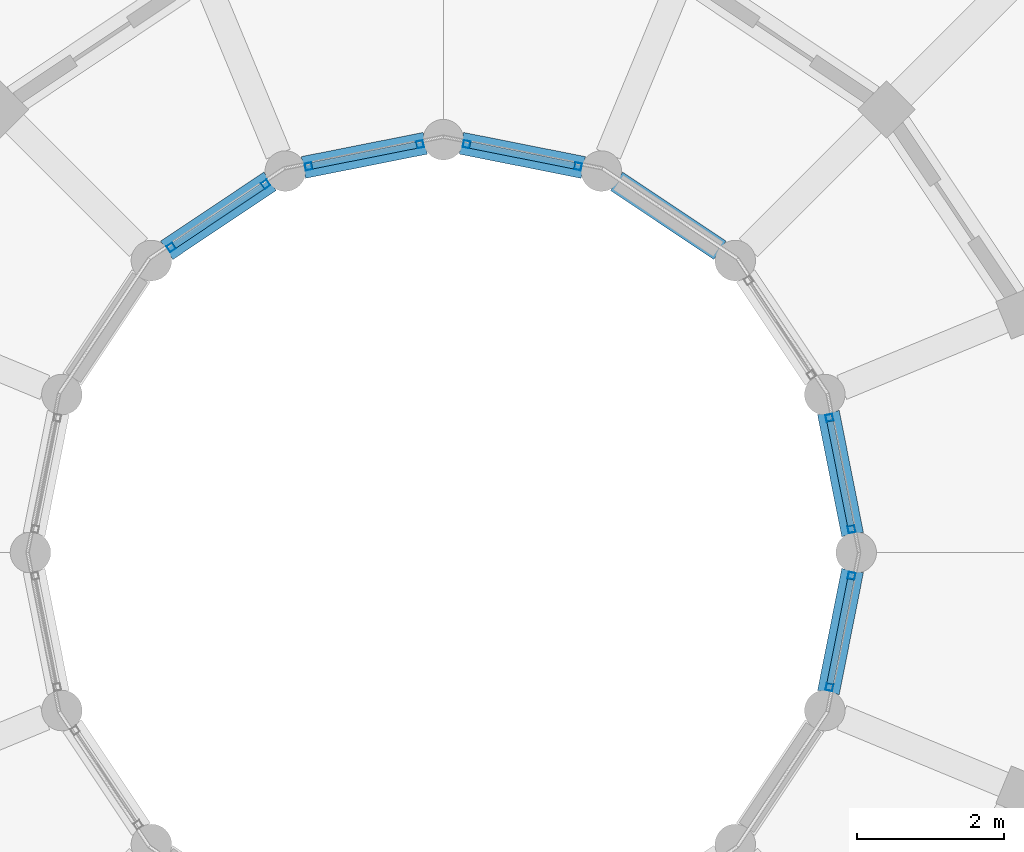
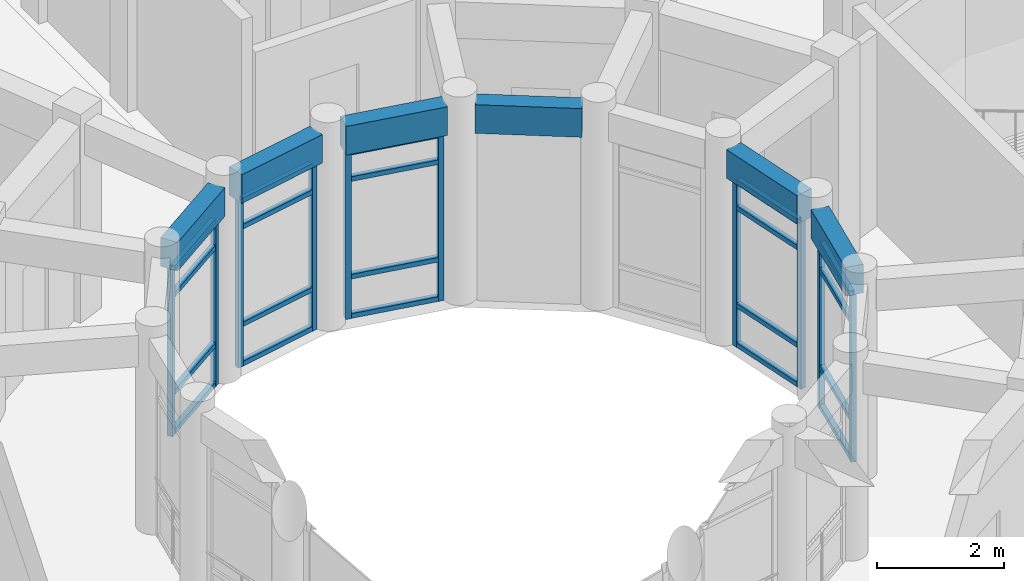
# One storey, part 14 of 112: 30 members, 6 beams, 5 elements without a shape of their own.
"""IFC4 building model written with IfcOpenShell, lengths in metres."""

from ifc_helpers import new_model, si_unit, direction, frame, origin, origin_2d, place, context, subcontext, project, spatial, rectangle, hollow_rectangle, extrude, material, material_profile, profile_set, type_object, element, aggregate, save


model = new_model("IFC4")

# Units and contexts
model_context = context("Model", 3, precision=1e-05, world=origin(), true_north=direction((0.0, 1.0)))
body_context = subcontext(model_context, "Body", "Model", "MODEL_VIEW")
ifc_project = project(units=[si_unit("LENGTHUNIT", "METRE"), si_unit("AREAUNIT", "SQUARE_METRE"), si_unit("VOLUMEUNIT", "CUBIC_METRE"), si_unit("PLANEANGLEUNIT", "RADIAN"), si_unit("MASSUNIT", "GRAM", prefix="KILO")], contexts=[model_context])

# Site, building, storey
site_placement = place(None, origin())
site = spatial("IfcSite", under=ifc_project, at=site_placement, CompositionType="ELEMENT")
building_placement = place(site_placement, origin())
building = spatial("IfcBuilding", under=site, at=building_placement, Name="Celadon Cloister-Ring School", CompositionType="ELEMENT")
storey_placement = place(building_placement, frame((0.0, 0.0, 8.5)))
storey = spatial("IfcBuildingStorey", under=building, at=storey_placement, Name="L02", CompositionType="ELEMENT", Elevation=8.5)

# Curtain wall, members
ifc_material_1 = material(Name="Aluminium EN AW-6063 T6", Category="aluminium")
curtain_wall_type = type_object("IfcCurtainWallType", Name="CW-04", PredefinedType="USERDEFINED", material=ifc_material_1)
curtain_wall_1_placement = place(storey_placement, origin())
curtain_wall_1 = element("IfcCurtainWall", 1, at=curtain_wall_1_placement, inside=storey, type_object=curtain_wall_type, Name="Curtain Wall 0151", ObjectType="CURTAIN WALL", PredefinedType="USERDEFINED")
ifc_material_2 = material(Name="Aluminium EN AW-6063 T6", Category="aluminium")
ifc_material_profile_1 = material_profile(ifc_material_2, hollow_rectangle(XDim=0.094970703125, YDim=0.094970703125, WallThickness=0.00390625, at=origin_2d()), Name="RHS95X95X4")
ifc_profile_set_1 = profile_set([ifc_material_profile_1], Name="Aluminium EN AW-6063 T6")
member_type_1 = type_object("IfcMemberType", Name="CM-02", PredefinedType="MULLION", material=ifc_profile_set_1)
member_1_placement = place(storey_placement, frame((25.73681640625, 20.316650390625, 0.0), z_axis=(0.0, 0.0, 1.0), x_axis=(-0.980885435464, -0.194586131301, 0.0)))
member_1 = element("IfcMember", 2, at=member_1_placement, type_object=member_type_1, Name="CW-04 mullion 1", PredefinedType="MULLION", context=body_context, shape_type="SweptSolid", body=[
    extrude(hollow_rectangle(XDim=0.094970703125, YDim=0.094970703125, WallThickness=0.00390625, at=origin_2d()), origin(), (0.0, 0.0, 1.0), 3.221923828125),
])
member_2_placement = place(storey_placement, frame((25.437255859375, 21.826416015625, 0.0), z_axis=(0.0, 0.0, 1.0), x_axis=(-0.980885435464, -0.194586131301, 0.0)))
member_2 = element("IfcMember", 3, at=member_2_placement, type_object=member_type_1, Name="CW-04 mullion 2", PredefinedType="MULLION", context=body_context, shape_type="SweptSolid", body=[
    extrude(hollow_rectangle(XDim=0.094970703125, YDim=0.094970703125, WallThickness=0.00390625, at=origin_2d()), origin(), (0.0, 0.0, 1.0), 3.221923828125),
])

curtain_wall_2_placement = place(storey_placement, origin())
curtain_wall_2 = element("IfcCurtainWall", 4, at=curtain_wall_2_placement, inside=storey, type_object=curtain_wall_type, Name="Curtain Wall 0153", ObjectType="CURTAIN WALL", PredefinedType="USERDEFINED")
member_3_placement = place(storey_placement, frame((22.0263671875, 25.2373046875, 0.0), z_axis=(0.0, 0.0, 1.0), x_axis=(-0.194586131301, -0.980885435464, 0.0)))
member_3 = element("IfcMember", 5, at=member_3_placement, type_object=member_type_1, Name="CW-04 mullion 1", PredefinedType="MULLION", context=body_context, shape_type="SweptSolid", body=[
    extrude(hollow_rectangle(XDim=0.094970703125, YDim=0.094970703125, WallThickness=0.00390625, at=origin_2d()), origin(), (0.0, 0.0, 1.0), 3.221923828125),
])
member_4_placement = place(storey_placement, frame((20.5166015625, 25.536865234375, 0.0), z_axis=(0.0, 0.0, 1.0), x_axis=(-0.194586131301, -0.980885435464, 0.0)))
member_4 = element("IfcMember", 6, at=member_4_placement, type_object=member_type_1, Name="CW-04 mullion 2", PredefinedType="MULLION", context=body_context, shape_type="SweptSolid", body=[
    extrude(hollow_rectangle(XDim=0.094970703125, YDim=0.094970703125, WallThickness=0.00390625, at=origin_2d()), origin(), (0.0, 0.0, 1.0), 3.221923828125),
])

curtain_wall_3_placement = place(storey_placement, origin())
curtain_wall_3 = element("IfcCurtainWall", 7, at=curtain_wall_3_placement, inside=storey, type_object=curtain_wall_type, Name="Curtain Wall 0154", ObjectType="CURTAIN WALL", PredefinedType="USERDEFINED")
member_5_placement = place(storey_placement, frame((19.88330078125, 25.536865234375, 0.0), z_axis=(0.0, 0.0, 1.0), x_axis=(0.194586131301, -0.980885435464, 0.0)))
member_5 = element("IfcMember", 8, at=member_5_placement, type_object=member_type_1, Name="CW-04 mullion 1", PredefinedType="MULLION", context=body_context, shape_type="SweptSolid", body=[
    extrude(hollow_rectangle(XDim=0.094970703125, YDim=0.094970703125, WallThickness=0.00390625, at=origin_2d()), origin(), (0.0, 0.0, 1.0), 3.221923828125),
])
member_6_placement = place(storey_placement, frame((18.37353515625, 25.2373046875, 0.0), z_axis=(0.0, 0.0, 1.0), x_axis=(0.194586131301, -0.980885435464, 0.0)))
member_6 = element("IfcMember", 9, at=member_6_placement, type_object=member_type_1, Name="CW-04 mullion 2", PredefinedType="MULLION", context=body_context, shape_type="SweptSolid", body=[
    extrude(hollow_rectangle(XDim=0.094970703125, YDim=0.094970703125, WallThickness=0.00390625, at=origin_2d()), origin(), (0.0, 0.0, 1.0), 3.221923828125),
])

curtain_wall_4_placement = place(storey_placement, origin())
curtain_wall_4 = element("IfcCurtainWall", 10, at=curtain_wall_4_placement, inside=storey, type_object=curtain_wall_type, Name="Curtain Wall 0155", ObjectType="CURTAIN WALL", PredefinedType="USERDEFINED")
member_7_placement = place(storey_placement, frame((17.78857421875, 24.99462890625, 0.0), z_axis=(0.0, 0.0, 1.0), x_axis=(0.555547066224, -0.831485091394, 0.0)))
member_7 = element("IfcMember", 11, at=member_7_placement, type_object=member_type_1, Name="CW-04 mullion 1", PredefinedType="MULLION", context=body_context, shape_type="SweptSolid", body=[
    extrude(hollow_rectangle(XDim=0.094970703125, YDim=0.094970703125, WallThickness=0.00390625, at=origin_2d()), origin(), (0.0, 0.0, 1.0), 3.221923828125),
])
member_8_placement = place(storey_placement, frame((16.508544921875, 24.139404296875, 0.0), z_axis=(0.0, 0.0, 1.0), x_axis=(0.555547066224, -0.831485091394, 0.0)))
member_8 = element("IfcMember", 12, at=member_8_placement, type_object=member_type_1, Name="CW-04 mullion 2", PredefinedType="MULLION", context=body_context, shape_type="SweptSolid", body=[
    extrude(hollow_rectangle(XDim=0.094970703125, YDim=0.094970703125, WallThickness=0.00390625, at=origin_2d()), origin(), (0.0, 0.0, 1.0), 3.221923828125),
])

curtain_wall_5_placement = place(storey_placement, origin())
curtain_wall_5 = element("IfcCurtainWall", 13, at=curtain_wall_5_placement, inside=storey, type_object=curtain_wall_type, Name="Curtain Wall 0162", ObjectType="CURTAIN WALL", PredefinedType="USERDEFINED")
member_9_placement = place(storey_placement, frame((25.437255859375, 18.173583984375, 0.0), z_axis=(0.0, 0.0, 1.0), x_axis=(-0.980885435464, 0.194586131301, 0.0)))
member_9 = element("IfcMember", 14, at=member_9_placement, type_object=member_type_1, Name="CW-04 mullion 1", PredefinedType="MULLION", context=body_context, shape_type="SweptSolid", body=[
    extrude(hollow_rectangle(XDim=0.094970703125, YDim=0.094970703125, WallThickness=0.00390625, at=origin_2d()), origin(), (0.0, 0.0, 1.0), 3.221923828125),
])
member_10_placement = place(storey_placement, frame((25.73681640625, 19.683349609375, 0.0), z_axis=(0.0, 0.0, 1.0), x_axis=(-0.980885435464, 0.194586131301, 0.0)))
member_10 = element("IfcMember", 15, at=member_10_placement, type_object=member_type_1, Name="CW-04 mullion 2", PredefinedType="MULLION", context=body_context, shape_type="SweptSolid", body=[
    extrude(hollow_rectangle(XDim=0.094970703125, YDim=0.094970703125, WallThickness=0.00390625, at=origin_2d()), origin(), (0.0, 0.0, 1.0), 3.221923828125),
])

# Member
ifc_material_3 = material(Name="Aluminium EN AW-6063 T6", Category="aluminium")
ifc_material_profile_2 = material_profile(ifc_material_3, hollow_rectangle(XDim=0.090087890625, YDim=0.090087890625, WallThickness=0.00390625, at=origin_2d()), Name="RHS90X90X4")
ifc_profile_set_2 = profile_set([ifc_material_profile_2], Name="Aluminium EN AW-6063 T6")
member_type_2 = type_object("IfcMemberType", Name="CTM-02", PredefinedType="USERDEFINED", material=ifc_profile_set_2)
member_11_placement = place(storey_placement, frame((25.7275390625, 20.36328125, 0.044921875), z_axis=(-0.194587856315, 0.980885093257, 0.0), x_axis=(-0.980885093257, -0.194587856315, 0.0)))
member_11 = element("IfcMember", 16, at=member_11_placement, type_object=member_type_2, Name="CW-04 transom 1.1", ObjectType="TRANSOM", PredefinedType="USERDEFINED", context=body_context, shape_type="SweptSolid", body=[
    extrude(hollow_rectangle(XDim=0.090087890625, YDim=0.090087890625, WallThickness=0.00390625, at=origin_2d()), origin(), (0.0, 0.0, 1.0), 1.444091796875),
])

member_12_placement = place(storey_placement, frame((25.7275390625, 20.36328125, 0.800048828125), z_axis=(-0.194587856315, 0.980885093257, 0.0), x_axis=(-0.980885093257, -0.194587856315, 0.0)))
member_12 = element("IfcMember", 17, at=member_12_placement, type_object=member_type_2, Name="CW-04 transom 1.2", ObjectType="TRANSOM", PredefinedType="USERDEFINED", context=body_context, shape_type="SweptSolid", body=[
    extrude(hollow_rectangle(XDim=0.090087890625, YDim=0.090087890625, WallThickness=0.00390625, at=origin_2d()), origin(), (0.0, 0.0, 1.0), 1.444091796875),
])

member_13_placement = place(storey_placement, frame((25.7275390625, 20.36328125, 2.672119140625), z_axis=(-0.194587856315, 0.980885093257, 0.0), x_axis=(-0.980885093257, -0.194587856315, 0.0)))
member_13 = element("IfcMember", 18, at=member_13_placement, type_object=member_type_2, Name="CW-04 transom 1.3", ObjectType="TRANSOM", PredefinedType="USERDEFINED", context=body_context, shape_type="SweptSolid", body=[
    extrude(hollow_rectangle(XDim=0.090087890625, YDim=0.090087890625, WallThickness=0.00390625, at=origin_2d()), origin(), (0.0, 0.0, 1.0), 1.444091796875),
])

member_14_placement = place(storey_placement, frame((25.7275390625, 20.36328125, 3.177001953125), z_axis=(-0.194587856315, 0.980885093257, 0.0), x_axis=(-0.980885093257, -0.194587856315, 0.0)))
member_14 = element("IfcMember", 19, at=member_14_placement, type_object=member_type_2, Name="CW-04 transom 1.4", ObjectType="TRANSOM", PredefinedType="USERDEFINED", context=body_context, shape_type="SweptSolid", body=[
    extrude(hollow_rectangle(XDim=0.090087890625, YDim=0.090087890625, WallThickness=0.00390625, at=origin_2d()), origin(), (0.0, 0.0, 1.0), 1.444091796875),
])

aggregate(curtain_wall_1, [member_1, member_2, member_11, member_12, member_13, member_14])

member_15_placement = place(storey_placement, frame((21.979736328125, 25.24658203125, 0.044921875), z_axis=(-0.980885093257, 0.194587856315, 0.0), x_axis=(-0.194587856315, -0.980885093257, 0.0)))
member_15 = element("IfcMember", 20, at=member_15_placement, type_object=member_type_2, Name="CW-04 transom 1.1", ObjectType="TRANSOM", PredefinedType="USERDEFINED", context=body_context, shape_type="SweptSolid", body=[
    extrude(hollow_rectangle(XDim=0.090087890625, YDim=0.090087890625, WallThickness=0.00390625, at=origin_2d()), origin(), (0.0, 0.0, 1.0), 1.444091796875),
])

member_16_placement = place(storey_placement, frame((21.979736328125, 25.24658203125, 0.800048828125), z_axis=(-0.980885093257, 0.194587856315, 0.0), x_axis=(-0.194587856315, -0.980885093257, 0.0)))
member_16 = element("IfcMember", 21, at=member_16_placement, type_object=member_type_2, Name="CW-04 transom 1.2", ObjectType="TRANSOM", PredefinedType="USERDEFINED", context=body_context, shape_type="SweptSolid", body=[
    extrude(hollow_rectangle(XDim=0.090087890625, YDim=0.090087890625, WallThickness=0.00390625, at=origin_2d()), origin(), (0.0, 0.0, 1.0), 1.444091796875),
])

member_17_placement = place(storey_placement, frame((21.979736328125, 25.24658203125, 2.672119140625), z_axis=(-0.980885093257, 0.194587856315, 0.0), x_axis=(-0.194587856315, -0.980885093257, 0.0)))
member_17 = element("IfcMember", 22, at=member_17_placement, type_object=member_type_2, Name="CW-04 transom 1.3", ObjectType="TRANSOM", PredefinedType="USERDEFINED", context=body_context, shape_type="SweptSolid", body=[
    extrude(hollow_rectangle(XDim=0.090087890625, YDim=0.090087890625, WallThickness=0.00390625, at=origin_2d()), origin(), (0.0, 0.0, 1.0), 1.444091796875),
])

member_18_placement = place(storey_placement, frame((21.979736328125, 25.24658203125, 3.177001953125), z_axis=(-0.980885093257, 0.194587856315, 0.0), x_axis=(-0.194587856315, -0.980885093257, 0.0)))
member_18 = element("IfcMember", 23, at=member_18_placement, type_object=member_type_2, Name="CW-04 transom 1.4", ObjectType="TRANSOM", PredefinedType="USERDEFINED", context=body_context, shape_type="SweptSolid", body=[
    extrude(hollow_rectangle(XDim=0.090087890625, YDim=0.090087890625, WallThickness=0.00390625, at=origin_2d()), origin(), (0.0, 0.0, 1.0), 1.444091796875),
])

aggregate(curtain_wall_2, [member_3, member_4, member_15, member_16, member_17, member_18])

member_19_placement = place(storey_placement, frame((19.8369140625, 25.527587890625, 0.044921875), z_axis=(-0.98089149302, -0.194555593394, 0.0), x_axis=(0.194555593394, -0.98089149302, 0.0)))
member_19 = element("IfcMember", 24, at=member_19_placement, type_object=member_type_2, Name="CW-04 transom 1.1", ObjectType="TRANSOM", PredefinedType="USERDEFINED", context=body_context, shape_type="SweptSolid", body=[
    extrude(hollow_rectangle(XDim=0.090087890625, YDim=0.090087890625, WallThickness=0.00390625, at=origin_2d()), origin(), (0.0, 0.0, 1.0), 1.4443359375),
])

member_20_placement = place(storey_placement, frame((19.8369140625, 25.527587890625, 0.800048828125), z_axis=(-0.98089149302, -0.194555593394, 0.0), x_axis=(0.194555593394, -0.98089149302, 0.0)))
member_20 = element("IfcMember", 25, at=member_20_placement, type_object=member_type_2, Name="CW-04 transom 1.2", ObjectType="TRANSOM", PredefinedType="USERDEFINED", context=body_context, shape_type="SweptSolid", body=[
    extrude(hollow_rectangle(XDim=0.090087890625, YDim=0.090087890625, WallThickness=0.00390625, at=origin_2d()), origin(), (0.0, 0.0, 1.0), 1.4443359375),
])

member_21_placement = place(storey_placement, frame((19.8369140625, 25.527587890625, 2.672119140625), z_axis=(-0.98089149302, -0.194555593394, 0.0), x_axis=(0.194555593394, -0.98089149302, 0.0)))
member_21 = element("IfcMember", 26, at=member_21_placement, type_object=member_type_2, Name="CW-04 transom 1.3", ObjectType="TRANSOM", PredefinedType="USERDEFINED", context=body_context, shape_type="SweptSolid", body=[
    extrude(hollow_rectangle(XDim=0.090087890625, YDim=0.090087890625, WallThickness=0.00390625, at=origin_2d()), origin(), (0.0, 0.0, 1.0), 1.4443359375),
])

member_22_placement = place(storey_placement, frame((19.8369140625, 25.527587890625, 3.177001953125), z_axis=(-0.98089149302, -0.194555593394, 0.0), x_axis=(0.194555593394, -0.98089149302, 0.0)))
member_22 = element("IfcMember", 27, at=member_22_placement, type_object=member_type_2, Name="CW-04 transom 1.4", ObjectType="TRANSOM", PredefinedType="USERDEFINED", context=body_context, shape_type="SweptSolid", body=[
    extrude(hollow_rectangle(XDim=0.090087890625, YDim=0.090087890625, WallThickness=0.00390625, at=origin_2d()), origin(), (0.0, 0.0, 1.0), 1.4443359375),
])

aggregate(curtain_wall_3, [member_5, member_6, member_19, member_20, member_21, member_22])

member_23_placement = place(storey_placement, frame((17.7490234375, 24.96826171875, 0.044921875), z_axis=(-0.831451709445, -0.555597025604, 0.0), x_axis=(0.555597025604, -0.831451709445, 0.0)))
member_23 = element("IfcMember", 28, at=member_23_placement, type_object=member_type_2, Name="CW-04 transom 1.1", ObjectType="TRANSOM", PredefinedType="USERDEFINED", context=body_context, shape_type="SweptSolid", body=[
    extrude(hollow_rectangle(XDim=0.090087890625, YDim=0.090087890625, WallThickness=0.00390625, at=origin_2d()), origin(), (0.0, 0.0, 1.0), 1.4443359375),
])

member_24_placement = place(storey_placement, frame((17.7490234375, 24.96826171875, 0.800048828125), z_axis=(-0.831451709445, -0.555597025604, 0.0), x_axis=(0.555597025604, -0.831451709445, 0.0)))
member_24 = element("IfcMember", 29, at=member_24_placement, type_object=member_type_2, Name="CW-04 transom 1.2", ObjectType="TRANSOM", PredefinedType="USERDEFINED", context=body_context, shape_type="SweptSolid", body=[
    extrude(hollow_rectangle(XDim=0.090087890625, YDim=0.090087890625, WallThickness=0.00390625, at=origin_2d()), origin(), (0.0, 0.0, 1.0), 1.4443359375),
])

member_25_placement = place(storey_placement, frame((17.7490234375, 24.96826171875, 2.672119140625), z_axis=(-0.831451709445, -0.555597025604, 0.0), x_axis=(0.555597025604, -0.831451709445, 0.0)))
member_25 = element("IfcMember", 30, at=member_25_placement, type_object=member_type_2, Name="CW-04 transom 1.3", ObjectType="TRANSOM", PredefinedType="USERDEFINED", context=body_context, shape_type="SweptSolid", body=[
    extrude(hollow_rectangle(XDim=0.090087890625, YDim=0.090087890625, WallThickness=0.00390625, at=origin_2d()), origin(), (0.0, 0.0, 1.0), 1.4443359375),
])

member_26_placement = place(storey_placement, frame((17.7490234375, 24.96826171875, 3.177001953125), z_axis=(-0.831451709445, -0.555597025604, 0.0), x_axis=(0.555597025604, -0.831451709445, 0.0)))
member_26 = element("IfcMember", 31, at=member_26_placement, type_object=member_type_2, Name="CW-04 transom 1.4", ObjectType="TRANSOM", PredefinedType="USERDEFINED", context=body_context, shape_type="SweptSolid", body=[
    extrude(hollow_rectangle(XDim=0.090087890625, YDim=0.090087890625, WallThickness=0.00390625, at=origin_2d()), origin(), (0.0, 0.0, 1.0), 1.4443359375),
])

aggregate(curtain_wall_4, [member_7, member_8, member_23, member_24, member_25, member_26])

member_27_placement = place(storey_placement, frame((25.446533203125, 18.22021484375, 0.044921875), z_axis=(0.194587856315, 0.980885093257, 0.0), x_axis=(-0.980885093257, 0.194587856315, 0.0)))
member_27 = element("IfcMember", 32, at=member_27_placement, type_object=member_type_2, Name="CW-04 transom 1.1", ObjectType="TRANSOM", PredefinedType="USERDEFINED", context=body_context, shape_type="SweptSolid", body=[
    extrude(hollow_rectangle(XDim=0.090087890625, YDim=0.090087890625, WallThickness=0.00390625, at=origin_2d()), origin(), (0.0, 0.0, 1.0), 1.444091796875),
])

member_28_placement = place(storey_placement, frame((25.446533203125, 18.22021484375, 0.800048828125), z_axis=(0.194587856315, 0.980885093257, 0.0), x_axis=(-0.980885093257, 0.194587856315, 0.0)))
member_28 = element("IfcMember", 33, at=member_28_placement, type_object=member_type_2, Name="CW-04 transom 1.2", ObjectType="TRANSOM", PredefinedType="USERDEFINED", context=body_context, shape_type="SweptSolid", body=[
    extrude(hollow_rectangle(XDim=0.090087890625, YDim=0.090087890625, WallThickness=0.00390625, at=origin_2d()), origin(), (0.0, 0.0, 1.0), 1.444091796875),
])

member_29_placement = place(storey_placement, frame((25.446533203125, 18.22021484375, 2.672119140625), z_axis=(0.194587856315, 0.980885093257, 0.0), x_axis=(-0.980885093257, 0.194587856315, 0.0)))
member_29 = element("IfcMember", 34, at=member_29_placement, type_object=member_type_2, Name="CW-04 transom 1.3", ObjectType="TRANSOM", PredefinedType="USERDEFINED", context=body_context, shape_type="SweptSolid", body=[
    extrude(hollow_rectangle(XDim=0.090087890625, YDim=0.090087890625, WallThickness=0.00390625, at=origin_2d()), origin(), (0.0, 0.0, 1.0), 1.444091796875),
])

member_30_placement = place(storey_placement, frame((25.446533203125, 18.22021484375, 3.177001953125), z_axis=(0.194587856315, 0.980885093257, 0.0), x_axis=(-0.980885093257, 0.194587856315, 0.0)))
member_30 = element("IfcMember", 35, at=member_30_placement, type_object=member_type_2, Name="CW-04 transom 1.4", ObjectType="TRANSOM", PredefinedType="USERDEFINED", context=body_context, shape_type="SweptSolid", body=[
    extrude(hollow_rectangle(XDim=0.090087890625, YDim=0.090087890625, WallThickness=0.00390625, at=origin_2d()), origin(), (0.0, 0.0, 1.0), 1.444091796875),
])

aggregate(curtain_wall_5, [member_9, member_10, member_27, member_28, member_29, member_30])

# Beams
ifc_material_4 = material(Name="Concrete C35/45", Category="concrete")
ifc_material_profile_3 = material_profile(ifc_material_4, rectangle(XDim=0.300048828125, YDim=0.550048828125, at=origin_2d()), Name="RC300X550")
ifc_profile_set_3 = profile_set([ifc_material_profile_3], Name="Concrete C35/45")
beam_type = type_object("IfcBeamType", Name="SP-02", PredefinedType="SPANDREL", material=ifc_profile_set_3)
beam_1_placement = place(storey_placement, frame((25.7509765625, 20.2451171875, 3.5048828125), z_axis=(-0.194583435458, 0.980885970256, 0.0), x_axis=(-0.980885970256, -0.194583435458, 0.0)))
element("IfcBeam", 36, at=beam_1_placement, inside=storey, type_object=beam_type, Name="Beam 1023", PredefinedType="SPANDREL", context=body_context, shape_type="SweptSolid", body=[
    extrude(rectangle(XDim=0.300048828125, YDim=0.550048828125, at=origin_2d()), origin(), (0.0, 0.0, 1.0), 1.68505859375),
])
beam_2_placement = place(storey_placement, frame((23.951904296875, 24.09912109375, 3.5048828125), z_axis=(-0.831537153477, 0.555469137204, 0.0), x_axis=(-0.555469137204, -0.831537153477, 0.0)))
element("IfcBeam", 37, at=beam_2_placement, inside=storey, type_object=beam_type, Name="Beam 1029", PredefinedType="SPANDREL", context=body_context, shape_type="SweptSolid", body=[
    extrude(rectangle(XDim=0.300048828125, YDim=0.550048828125, at=origin_2d()), origin(), (0.0, 0.0, 1.0), 1.6845703125),
])
beam_3_placement = place(storey_placement, frame((22.097900390625, 25.222900390625, 3.5048828125), z_axis=(-0.980858307367, 0.194722830887, 0.0), x_axis=(-0.194722830887, -0.980858307367, 0.0)))
element("IfcBeam", 38, at=beam_3_placement, inside=storey, type_object=beam_type, Name="Beam 1032", PredefinedType="SPANDREL", context=body_context, shape_type="SweptSolid", body=[
    extrude(rectangle(XDim=0.300048828125, YDim=0.550048828125, at=origin_2d()), origin(), (0.0, 0.0, 1.0), 1.68505859375),
])
beam_4_placement = place(storey_placement, frame((19.955078125, 25.551025390625, 3.5048828125), z_axis=(-0.980863799725, -0.194695162728, 0.0), x_axis=(0.194695162728, -0.980863799725, 0.0)))
element("IfcBeam", 39, at=beam_4_placement, inside=storey, type_object=beam_type, Name="Beam 1034", PredefinedType="SPANDREL", context=body_context, shape_type="SweptSolid", body=[
    extrude(rectangle(XDim=0.300048828125, YDim=0.550048828125, at=origin_2d()), origin(), (0.0, 0.0, 1.0), 1.685302734375),
])
beam_5_placement = place(storey_placement, frame((17.84912109375, 25.034912109375, 3.5048828125), z_axis=(-0.831581859135, -0.555402207016, 0.0), x_axis=(0.555402207016, -0.831581859135, 0.0)))
element("IfcBeam", 40, at=beam_5_placement, inside=storey, type_object=beam_type, Name="Beam 1037", PredefinedType="SPANDREL", context=body_context, shape_type="SweptSolid", body=[
    extrude(rectangle(XDim=0.300048828125, YDim=0.550048828125, at=origin_2d()), origin(), (0.0, 0.0, 1.0), 1.684814453125),
])
beam_6_placement = place(storey_placement, frame((25.423095703125, 18.10205078125, 3.5048828125), z_axis=(0.194583435458, 0.980885970256, 0.0), x_axis=(-0.980885970256, 0.194583435458, 0.0)))
element("IfcBeam", 41, at=beam_6_placement, inside=storey, type_object=beam_type, Name="Beam 1071", PredefinedType="SPANDREL", context=body_context, shape_type="SweptSolid", body=[
    extrude(rectangle(XDim=0.300048828125, YDim=0.550048828125, at=origin_2d()), origin(), (0.0, 0.0, 1.0), 1.68505859375),
])

save(model, "model.ifc")
